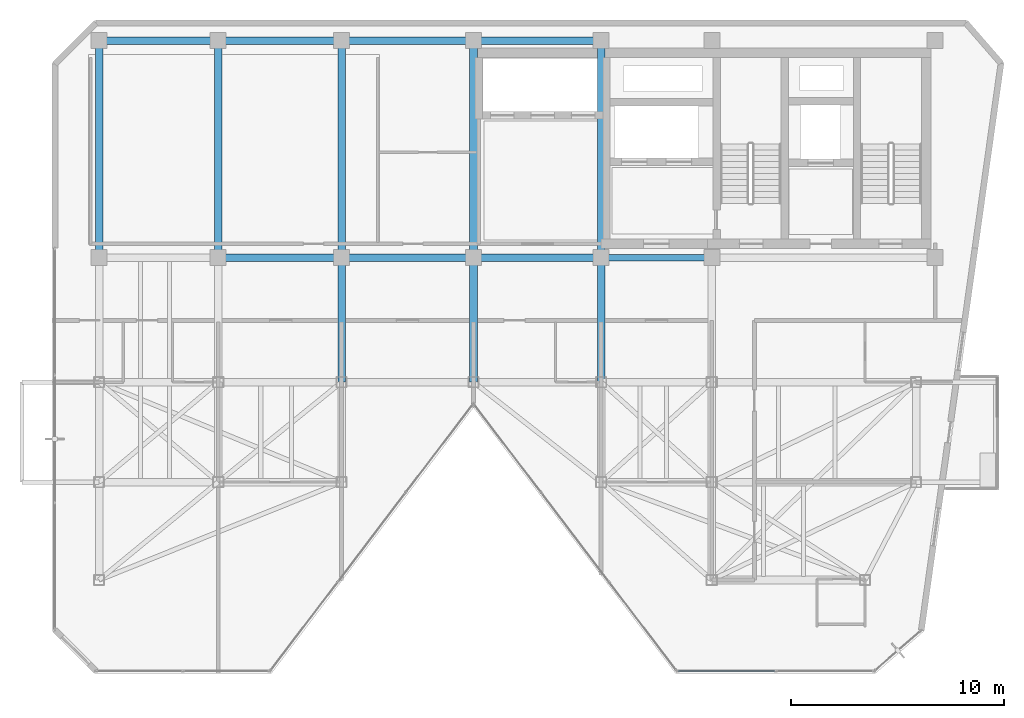
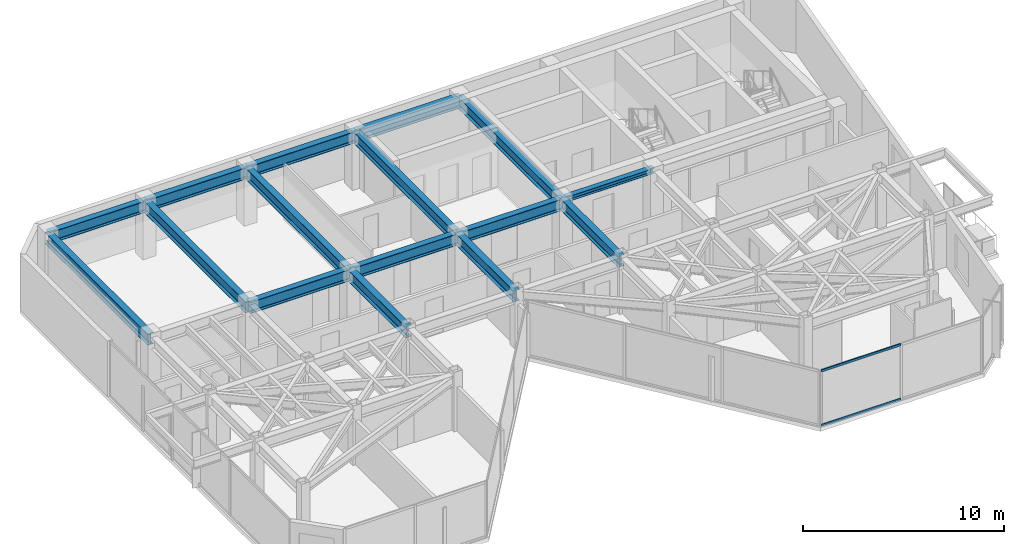
# One storey, part 11 of 20: 16 beams, 2 members, 1 element without a shape of its own.
"""IFC4 building model written with IfcOpenShell, lengths in metres."""

from ifc_helpers import new_model, si_unit, direction, frame, origin, origin_2d, place, context, subcontext, project, spatial, hollow_rectangle, i_section, extrude, material, layer, layer_set, material_profile, profile_set, type_object, element, aggregate, save


model = new_model("IFC4")

# Units and contexts
model_context = context("Model", 3, precision=1e-05, world=origin(), true_north=direction((0.0, 1.0)))
body_context = subcontext(model_context, "Body", "Model", "MODEL_VIEW")
ifc_project = project(units=[si_unit("LENGTHUNIT", "METRE"), si_unit("AREAUNIT", "SQUARE_METRE"), si_unit("VOLUMEUNIT", "CUBIC_METRE"), si_unit("PLANEANGLEUNIT", "RADIAN"), si_unit("MASSUNIT", "GRAM", prefix="KILO")], contexts=[model_context])

# Site, building, storey
site_placement = place(None, origin())
site = spatial("IfcSite", under=ifc_project, at=site_placement, CompositionType="ELEMENT")
building_placement = place(site_placement, origin())
building = spatial("IfcBuilding", under=site, at=building_placement, Name="Kravanh Interchange Tower", CompositionType="ELEMENT")
storey_placement = place(building_placement, frame((0.0, 0.0, 252.60009765625)))
storey = spatial("IfcBuildingStorey", under=building, at=storey_placement, Name="L61", CompositionType="ELEMENT", Elevation=252.60009765625)

# Curtain wall, members
ifc_material_1 = material(Name="Anodised Bronze Aluminium", Category="aluminium")
ifc_layer = layer(ifc_material_1, 0.179931640625)
ifc_layer_set = layer_set([ifc_layer], Name="Unitised Curtain Wall System CW-HTL Luxury Hotel")
curtain_wall_type = type_object("IfcCurtainWallType", Name="Unitised Curtain Wall System CW-HTL Luxury Hotel", PredefinedType="NOTDEFINED", material=ifc_layer_set)
curtain_wall_placement = place(storey_placement, origin())
curtain_wall = element("IfcCurtainWall", 1, at=curtain_wall_placement, inside=storey, type_object=curtain_wall_type, Name="L61 Unitised Curtain Wall CW-L61-03", PredefinedType="NOTDEFINED")
ifc_material_2 = material(Name="Anodised Bronze Aluminium", Category="aluminium")
ifc_material_profile_1 = material_profile(ifc_material_2, hollow_rectangle(XDim=0.06005859375, YDim=0.139892578125, WallThickness=0.00390625, at=origin_2d()), Name="ALU60X140X4")
ifc_profile_set_1 = profile_set([ifc_material_profile_1], Name="Anodised Bronze Aluminium")
member_type = type_object("IfcMemberType", Name="Curtain Wall Transom ALU60X140X4 Bronze", PredefinedType="USERDEFINED", material=ifc_profile_set_1)
member_1_placement = place(storey_placement, frame((58.969970703125, 17.919921875, 0.02978515625), z_axis=(-1.0, 0.0, 0.0), x_axis=(0.0, -1.0, 0.0)))
member_1 = element("IfcMember", 2, at=member_1_placement, type_object=member_type, Name="CW-HTL transom 2.1", ObjectType="TRANSOM", PredefinedType="USERDEFINED", context=body_context, shape_type="SweptSolid", body=[
    extrude(hollow_rectangle(XDim=0.06005859375, YDim=0.139892578125, WallThickness=0.00390625, at=origin_2d()), origin(), (0.0, 0.0, 1.0), 4.550537109375),
])
member_2_placement = place(storey_placement, frame((58.969970703125, 17.919921875, 3.329833984375), z_axis=(-1.0, 0.0, 0.0), x_axis=(0.0, -1.0, 0.0)))
member_2 = element("IfcMember", 3, at=member_2_placement, type_object=member_type, Name="CW-HTL transom 2.2", ObjectType="TRANSOM", PredefinedType="USERDEFINED", context=body_context, shape_type="SweptSolid", body=[
    extrude(hollow_rectangle(XDim=0.06005859375, YDim=0.139892578125, WallThickness=0.00390625, at=origin_2d()), origin(), (0.0, 0.0, 1.0), 4.550537109375),
])
aggregate(curtain_wall, [member_1, member_2])

# Beams
ifc_material_3 = material(Name="Structural Steel S355", Category="steel")
ifc_material_profile_2 = material_profile(ifc_material_3, i_section(OverallWidth=0.35498046875, OverallDepth=0.696044921875, WebThickness=0.015380859375, FlangeThickness=0.02490234375, FilletRadius=0.02392578125, at=origin_2d()), Name="W27X146")
ifc_profile_set_2 = profile_set([ifc_material_profile_2], Name="Structural Steel S355")
beam_type_1 = type_object("IfcBeamType", Name="Floor Beam W27X146 Structural Steel S355", PredefinedType="BEAM", material=ifc_profile_set_2)
for number, where, z_axis, x_axis, name in (
    (4, (44.800048828125, 31.5, 3.011962890625), (0.0, 1.0, 0.0), (-1.0, 0.0, 0.0), "L61 Primary Floor Girder 1"),
    (5, (50.800048828125, 31.5, 3.011962890625), (0.0, 1.0, 0.0), (-1.0, 0.0, 0.0), "L61 Primary Floor Girder 7"),
    (6, (38.60009765625, 31.5, 3.011962890625), (0.0, 1.0, 0.0), (-1.0, 0.0, 0.0), "L61 Primary Floor Girder 19"),
):
    element("IfcBeam", number, at=place(storey_placement, frame(where, z_axis=z_axis, x_axis=x_axis)), inside=storey, type_object=beam_type_1, Name=name, PredefinedType="BEAM", context=body_context, shape_type="SweptSolid", body=[
        extrude(i_section(OverallWidth=0.35498046875, OverallDepth=0.696044921875, WebThickness=0.015380859375, FlangeThickness=0.02490234375, FilletRadius=0.02392578125, at=origin_2d()), origin(), (0.0, 0.0, 1.0), 5.85009765625),
    ])
beam_1_placement = place(storey_placement, frame((50.800048828125, 47.550048828125, 3.011962890625), z_axis=(-1.0, 0.0, 0.0), x_axis=(0.0, -1.0, 0.0)))
element("IfcBeam", 7, at=beam_1_placement, inside=storey, type_object=beam_type_1, Name="L61 Primary Floor Girder 49", PredefinedType="BEAM", context=body_context, shape_type="SweptSolid", body=[
    extrude(i_section(OverallWidth=0.35498046875, OverallDepth=0.696044921875, WebThickness=0.015380859375, FlangeThickness=0.02490234375, FilletRadius=0.02392578125, at=origin_2d()), origin(), (0.0, 0.0, 1.0), 6.0),
])
beam_2_placement = place(storey_placement, frame((50.800048828125, 47.550048828125, 3.011962890625), z_axis=(0.0, -1.0, 0.0), x_axis=(1.0, 0.0, 0.0)))
element("IfcBeam", 8, at=beam_2_placement, inside=storey, type_object=beam_type_1, Name="L61 Primary Floor Girder 50", PredefinedType="BEAM", context=body_context, shape_type="SweptSolid", body=[
    extrude(i_section(OverallWidth=0.35498046875, OverallDepth=0.696044921875, WebThickness=0.015380859375, FlangeThickness=0.02490234375, FilletRadius=0.02392578125, at=origin_2d()), origin(), (0.0, 0.0, 1.0), 10.199951171875),
])
beam_3_placement = place(storey_placement, frame((50.800048828125, 37.35009765625, 3.011962890625), z_axis=(-1.0, 0.0, 0.0), x_axis=(0.0, -1.0, 0.0)))
element("IfcBeam", 9, at=beam_3_placement, inside=storey, type_object=beam_type_1, Name="L61 Primary Floor Girder 51", PredefinedType="BEAM", context=body_context, shape_type="SweptSolid", body=[
    extrude(i_section(OverallWidth=0.35498046875, OverallDepth=0.696044921875, WebThickness=0.015380859375, FlangeThickness=0.02490234375, FilletRadius=0.02392578125, at=origin_2d()), origin(), (0.0, 0.0, 1.0), 6.0),
])
beam_4_placement = place(storey_placement, frame((44.800048828125, 37.35009765625, 3.011962890625), z_axis=(-1.0, 0.0, 0.0), x_axis=(0.0, -1.0, 0.0)))
element("IfcBeam", 10, at=beam_4_placement, inside=storey, type_object=beam_type_1, Name="L61 Primary Floor Girder 52", PredefinedType="BEAM", context=body_context, shape_type="SweptSolid", body=[
    extrude(i_section(OverallWidth=0.35498046875, OverallDepth=0.696044921875, WebThickness=0.015380859375, FlangeThickness=0.02490234375, FilletRadius=0.02392578125, at=origin_2d()), origin(), (0.0, 0.0, 1.0), 6.199951171875),
])
beam_5_placement = place(storey_placement, frame((44.800048828125, 37.35009765625, 3.011962890625), z_axis=(0.0, 1.0, 0.0), x_axis=(-1.0, 0.0, 0.0)))
element("IfcBeam", 11, at=beam_5_placement, inside=storey, type_object=beam_type_1, Name="L61 Primary Floor Girder 53", PredefinedType="BEAM", context=body_context, shape_type="SweptSolid", body=[
    extrude(i_section(OverallWidth=0.35498046875, OverallDepth=0.696044921875, WebThickness=0.015380859375, FlangeThickness=0.02490234375, FilletRadius=0.02392578125, at=origin_2d()), origin(), (0.0, 0.0, 1.0), 10.199951171875),
])
beam_6_placement = place(storey_placement, frame((44.800048828125, 47.550048828125, 3.011962890625), z_axis=(-1.0, 0.0, 0.0), x_axis=(0.0, -1.0, 0.0)))
element("IfcBeam", 12, at=beam_6_placement, inside=storey, type_object=beam_type_1, Name="L61 Primary Floor Girder 54", PredefinedType="BEAM", context=body_context, shape_type="SweptSolid", body=[
    extrude(i_section(OverallWidth=0.35498046875, OverallDepth=0.696044921875, WebThickness=0.015380859375, FlangeThickness=0.02490234375, FilletRadius=0.02392578125, at=origin_2d()), origin(), (0.0, 0.0, 1.0), 6.199951171875),
])
beam_7_placement = place(storey_placement, frame((38.60009765625, 37.35009765625, 3.011962890625), z_axis=(-1.0, 0.0, 0.0), x_axis=(0.0, -1.0, 0.0)))
element("IfcBeam", 13, at=beam_7_placement, inside=storey, type_object=beam_type_1, Name="L61 Primary Floor Girder 55", PredefinedType="BEAM", context=body_context, shape_type="SweptSolid", body=[
    extrude(i_section(OverallWidth=0.35498046875, OverallDepth=0.696044921875, WebThickness=0.015380859375, FlangeThickness=0.02490234375, FilletRadius=0.02392578125, at=origin_2d()), origin(), (0.0, 0.0, 1.0), 5.800048828125),
])
beam_8_placement = place(storey_placement, frame((38.60009765625, 37.35009765625, 3.011962890625), z_axis=(0.0, 1.0, 0.0), x_axis=(-1.0, 0.0, 0.0)))
element("IfcBeam", 14, at=beam_8_placement, inside=storey, type_object=beam_type_1, Name="L61 Primary Floor Girder 56", PredefinedType="BEAM", context=body_context, shape_type="SweptSolid", body=[
    extrude(i_section(OverallWidth=0.35498046875, OverallDepth=0.696044921875, WebThickness=0.015380859375, FlangeThickness=0.02490234375, FilletRadius=0.02392578125, at=origin_2d()), origin(), (0.0, 0.0, 1.0), 10.199951171875),
])
beam_9_placement = place(storey_placement, frame((38.60009765625, 47.550048828125, 3.011962890625), z_axis=(-1.0, 0.0, 0.0), x_axis=(0.0, -1.0, 0.0)))
element("IfcBeam", 15, at=beam_9_placement, inside=storey, type_object=beam_type_1, Name="L61 Primary Floor Girder 57", PredefinedType="BEAM", context=body_context, shape_type="SweptSolid", body=[
    extrude(i_section(OverallWidth=0.35498046875, OverallDepth=0.696044921875, WebThickness=0.015380859375, FlangeThickness=0.02490234375, FilletRadius=0.02392578125, at=origin_2d()), origin(), (0.0, 0.0, 1.0), 5.800048828125),
])
beam_10_placement = place(storey_placement, frame((32.800048828125, 37.35009765625, 3.011962890625), z_axis=(0.0, 1.0, 0.0), x_axis=(-1.0, 0.0, 0.0)))
element("IfcBeam", 16, at=beam_10_placement, inside=storey, type_object=beam_type_1, Name="L61 Primary Floor Girder 59", PredefinedType="BEAM", context=body_context, shape_type="SweptSolid", body=[
    extrude(i_section(OverallWidth=0.35498046875, OverallDepth=0.696044921875, WebThickness=0.015380859375, FlangeThickness=0.02490234375, FilletRadius=0.02392578125, at=origin_2d()), origin(), (0.0, 0.0, 1.0), 10.199951171875),
])
beam_11_placement = place(storey_placement, frame((32.800048828125, 47.550048828125, 3.011962890625), z_axis=(-1.0, 0.0, 0.0), x_axis=(0.0, -1.0, 0.0)))
element("IfcBeam", 17, at=beam_11_placement, inside=storey, type_object=beam_type_1, Name="L61 Primary Floor Girder 60", PredefinedType="BEAM", context=body_context, shape_type="SweptSolid", body=[
    extrude(i_section(OverallWidth=0.35498046875, OverallDepth=0.696044921875, WebThickness=0.015380859375, FlangeThickness=0.02490234375, FilletRadius=0.02392578125, at=origin_2d()), origin(), (0.0, 0.0, 1.0), 5.60009765625),
])
beam_12_placement = place(storey_placement, frame((27.199951171875, 37.35009765625, 3.011962890625), z_axis=(0.0, 1.0, 0.0), x_axis=(-1.0, 0.0, 0.0)))
element("IfcBeam", 18, at=beam_12_placement, inside=storey, type_object=beam_type_1, Name="L61 Primary Floor Girder 61", PredefinedType="BEAM", context=body_context, shape_type="SweptSolid", body=[
    extrude(i_section(OverallWidth=0.35498046875, OverallDepth=0.696044921875, WebThickness=0.015380859375, FlangeThickness=0.02490234375, FilletRadius=0.02392578125, at=origin_2d()), origin(), (0.0, 0.0, 1.0), 10.199951171875),
])
ifc_material_4 = material(Name="Structural Steel S355", Category="steel")
ifc_material_profile_3 = material_profile(ifc_material_4, i_section(OverallWidth=0.304931640625, OverallDepth=0.306884765625, WebThickness=0.010009765625, FlangeThickness=0.015380859375, FilletRadius=0.014892578125, at=origin_2d()), Name="W12X65")
ifc_profile_set_3 = profile_set([ifc_material_profile_3], Name="Structural Steel S355")
beam_type_2 = type_object("IfcBeamType", Name="Floor Lintel W12X65 Structural Steel S355", PredefinedType="LINTEL", material=ifc_profile_set_3)
beam_13_placement = place(storey_placement, frame((50.800048828125, 37.35009765625, 3.206298828125), z_axis=(1.0, 0.0, 0.0), x_axis=(0.0, 1.0, 0.0)))
element("IfcBeam", 19, at=beam_13_placement, inside=storey, type_object=beam_type_2, Name="L61 Core Coupling Lintel 1", PredefinedType="LINTEL", context=body_context, shape_type="SweptSolid", body=[
    extrude(i_section(OverallWidth=0.304931640625, OverallDepth=0.306884765625, WebThickness=0.010009765625, FlangeThickness=0.015380859375, FilletRadius=0.014892578125, at=origin_2d()), origin(), (0.0, 0.0, 1.0), 5.199951171875),
])

save(model, "model.ifc")
